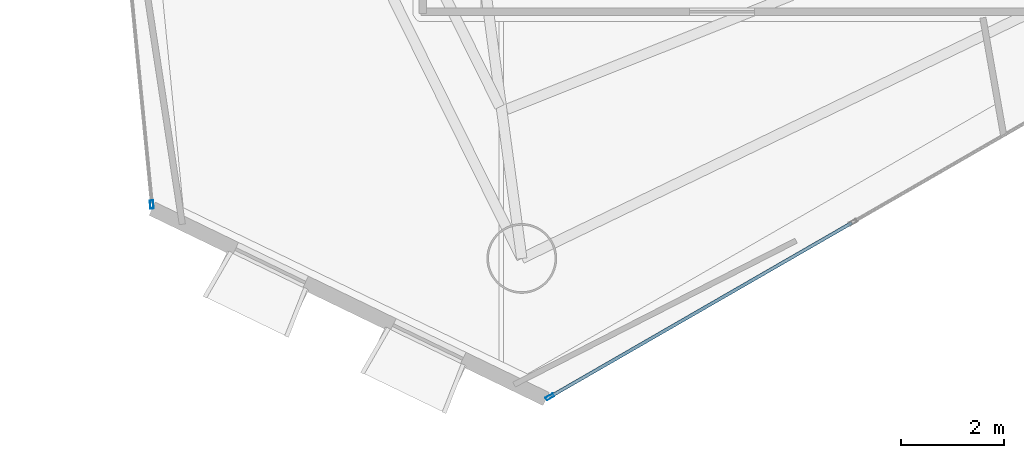
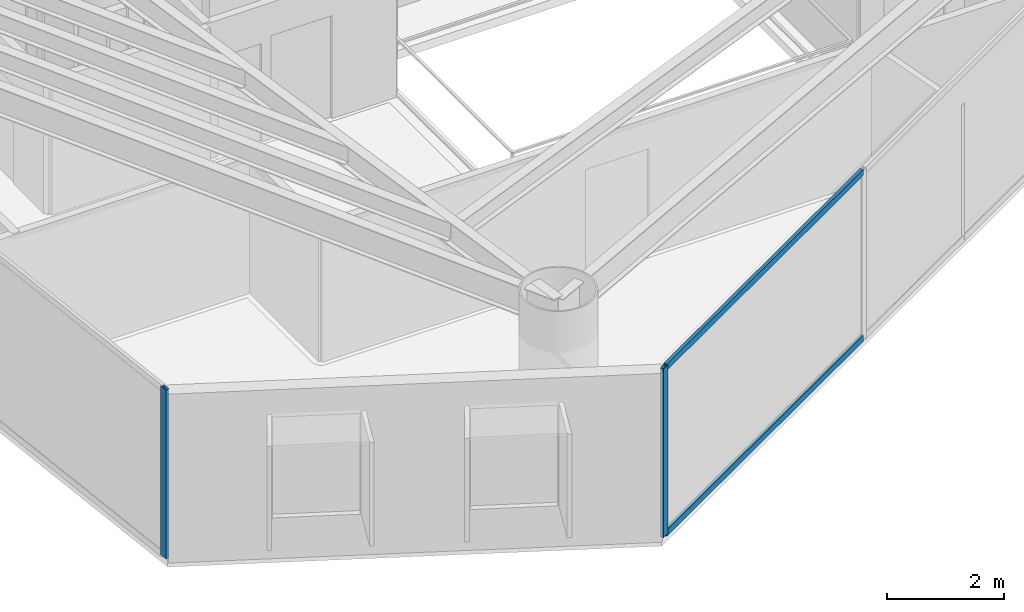
# One storey, part 2 of 22: 4 members, 2 elements without a shape of their own.
"""IFC4 building model written with IfcOpenShell, lengths in metres."""

from ifc_helpers import new_model, si_unit, direction, frame, origin, origin_2d, place, context, subcontext, project, spatial, hollow_rectangle, extrude, material, layer, layer_set, material_profile, profile_set, type_object, element, aggregate, save


model = new_model("IFC4")

# Units and contexts
model_context = context("Model", 3, precision=1e-05, world=origin(), true_north=direction((0.0, 1.0)))
body_context = subcontext(model_context, "Body", "Model", "MODEL_VIEW")
ifc_project = project(units=[si_unit("LENGTHUNIT", "METRE"), si_unit("AREAUNIT", "SQUARE_METRE"), si_unit("VOLUMEUNIT", "CUBIC_METRE"), si_unit("PLANEANGLEUNIT", "RADIAN"), si_unit("MASSUNIT", "GRAM", prefix="KILO")], contexts=[model_context])

# Site, building, storey
site_placement = place(None, origin())
site = spatial("IfcSite", under=ifc_project, at=site_placement, CompositionType="ELEMENT")
building_placement = place(site_placement, origin())
building = spatial("IfcBuilding", under=site, at=building_placement, Name="Qianvela Tower", CompositionType="ELEMENT")
storey_placement = place(building_placement, frame((0.0, 0.0, 169.800048828125)))
storey = spatial("IfcBuildingStorey", under=building, at=storey_placement, Name="L43", CompositionType="ELEMENT", Elevation=169.800048828125)

# Curtain wall, member
ifc_material_1 = material(Name="Anodised Architectural Aluminium and Low-E Glass", Category="aluminium")
ifc_layer = layer(ifc_material_1, 0.169921875)
ifc_layer_set = layer_set([ifc_layer], Name="Anodised Architectural Aluminium and Low-E Glass")
curtain_wall_type = type_object("IfcCurtainWallType", Name="CW-COLIV-Z34", PredefinedType="USERDEFINED", material=ifc_layer_set)
curtain_wall_1_placement = place(storey_placement, origin())
curtain_wall_1 = element("IfcCurtainWall", 1, at=curtain_wall_1_placement, inside=storey, type_object=curtain_wall_type, Name="L43 CW-COLIV-Z34 Curtain Wall 04C", ObjectType="CURTAIN_WALL_SYSTEM", PredefinedType="USERDEFINED")
ifc_material_2 = material(Name="Anodised Architectural Aluminium 6063-T6", Category="aluminium")
ifc_material_profile_1 = material_profile(ifc_material_2, hollow_rectangle(XDim=0.06494140625, YDim=0.159912109375, WallThickness=0.0048828125, at=origin_2d()), Name="ALU-MULL-65x160")
ifc_profile_set_1 = profile_set([ifc_material_profile_1], Name="Anodised Architectural Aluminium 6063-T6")
member_type_1 = type_object("IfcMemberType", Name="CW-COLIV-Z34-MULL", PredefinedType="MULLION", material=ifc_profile_set_1)
member_1_placement = place(storey_placement, frame((23.19091796875, 11.952392578125, 0.0), z_axis=(0.0, 0.0, 1.0), x_axis=(0.995227368279, 0.097583223084, 0.0)))
member_1 = element("IfcMember", 2, at=member_1_placement, type_object=member_type_1, Name="CW-4 mullion 2", PredefinedType="MULLION", context=body_context, shape_type="SweptSolid", body=[
    extrude(hollow_rectangle(XDim=0.06494140625, YDim=0.159912109375, WallThickness=0.0048828125, at=origin_2d()), origin(), (0.0, 0.0, 1.0), 3.52001953125),
])
aggregate(curtain_wall_1, [member_1])

# Curtain wall, members
curtain_wall_2_placement = place(storey_placement, origin())
curtain_wall_2 = element("IfcCurtainWall", 3, at=curtain_wall_2_placement, inside=storey, type_object=curtain_wall_type, Name="L43 CW-COLIV-Z34 Curtain Wall 06A", ObjectType="CURTAIN_WALL_SYSTEM", PredefinedType="USERDEFINED")
member_2_placement = place(storey_placement, frame((30.888671875, 8.23095703125, 0.0), z_axis=(0.0, 0.0, 1.0), x_axis=(-0.499287311771, 0.866436483711, 0.0)))
member_2 = element("IfcMember", 4, at=member_2_placement, type_object=member_type_1, Name="CW-4 mullion 1", PredefinedType="MULLION", context=body_context, shape_type="SweptSolid", body=[
    extrude(hollow_rectangle(XDim=0.06494140625, YDim=0.159912109375, WallThickness=0.0048828125, at=origin_2d()), origin(), (0.0, 0.0, 1.0), 3.52001953125),
])
ifc_material_3 = material(Name="Anodised Architectural Aluminium 6063-T6", Category="aluminium")
ifc_material_profile_2 = material_profile(ifc_material_3, hollow_rectangle(XDim=0.06494140625, YDim=0.1298828125, WallThickness=0.00439453125, at=origin_2d()), Name="ALU-TRAN-65x130")
ifc_profile_set_2 = profile_set([ifc_material_profile_2], Name="Anodised Architectural Aluminium 6063-T6")
member_type_2 = type_object("IfcMemberType", Name="CW-COLIV-Z34-TRAN", PredefinedType="USERDEFINED", material=ifc_profile_set_2)
member_3_placement = place(storey_placement, frame((30.916748046875, 8.247314453125, 0.032470703125), z_axis=(0.866447845373, 0.499267594832, 0.0), x_axis=(-0.499267594832, 0.866447845373, 0.0)))
member_3 = element("IfcMember", 5, at=member_3_placement, type_object=member_type_2, Name="CW-4 transom 1.1", ObjectType="TRANSOM", PredefinedType="USERDEFINED", context=body_context, shape_type="SweptSolid", body=[
    extrude(hollow_rectangle(XDim=0.06494140625, YDim=0.1298828125, WallThickness=0.00439453125, at=origin_2d()), origin(), (0.0, 0.0, 1.0), 6.70751953125),
])
member_4_placement = place(storey_placement, frame((30.916748046875, 8.247314453125, 3.487548828125), z_axis=(0.866447845373, 0.499267594832, 0.0), x_axis=(-0.499267594832, 0.866447845373, 0.0)))
member_4 = element("IfcMember", 6, at=member_4_placement, type_object=member_type_2, Name="CW-4 transom 1.2", ObjectType="TRANSOM", PredefinedType="USERDEFINED", context=body_context, shape_type="SweptSolid", body=[
    extrude(hollow_rectangle(XDim=0.06494140625, YDim=0.1298828125, WallThickness=0.00439453125, at=origin_2d()), origin(), (0.0, 0.0, 1.0), 6.70751953125),
])
aggregate(curtain_wall_2, [member_2, member_3, member_4])

save(model, "model.ifc")
